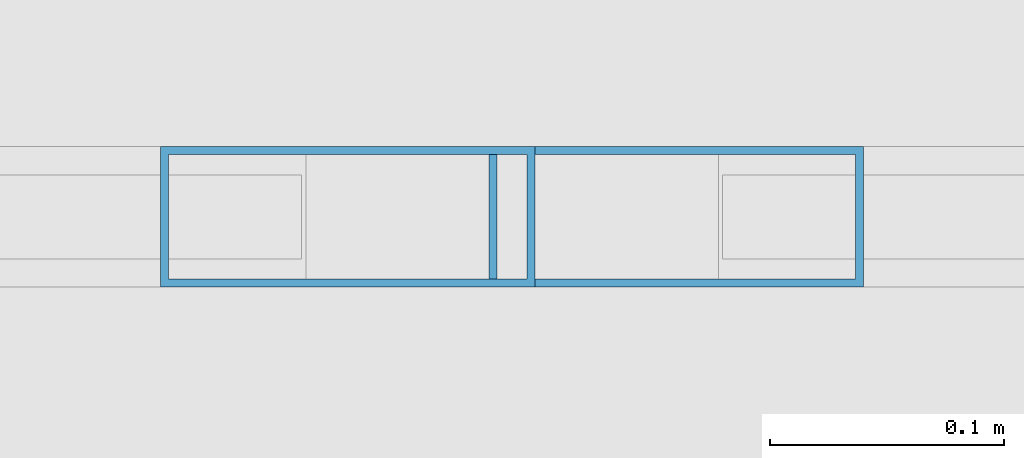
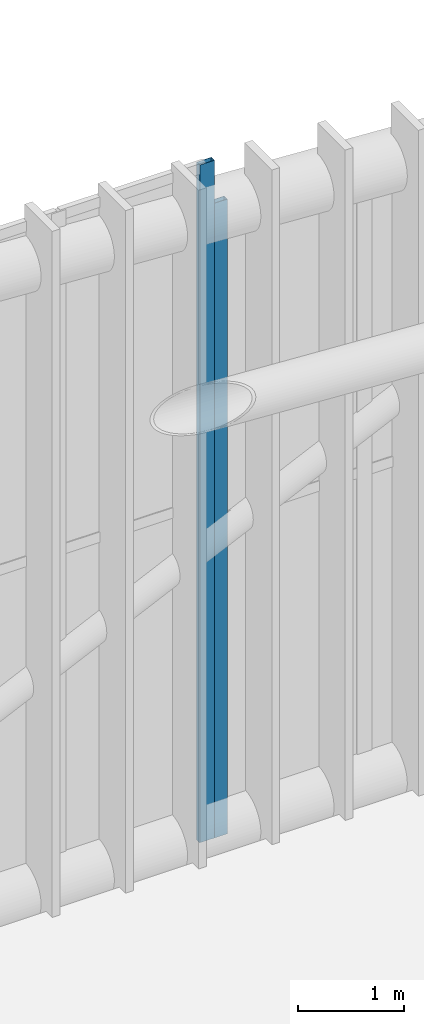
# One storey, part 81 of 397: 2 members, 2 elements without a shape of their own.
"""IFC4 building model written with IfcOpenShell, lengths in metres."""

from ifc_helpers import new_model, si_unit, direction, frame, origin, origin_2d, place, context, subcontext, project, spatial, hollow_rectangle, extrude, material, material_profile, profile_set, type_object, element, aggregate, save


model = new_model("IFC4")

# Units and contexts
model_context = context("Model", 3, precision=1e-05, world=origin(), true_north=direction((0.0, 1.0)))
body_context = subcontext(model_context, "Body", "Model", "MODEL_VIEW")
ifc_project = project(units=[si_unit("LENGTHUNIT", "METRE"), si_unit("AREAUNIT", "SQUARE_METRE"), si_unit("VOLUMEUNIT", "CUBIC_METRE"), si_unit("PLANEANGLEUNIT", "RADIAN"), si_unit("MASSUNIT", "GRAM", prefix="KILO")], contexts=[model_context])

# Site, building, storey
site_placement = place(None, origin())
site = spatial("IfcSite", under=ifc_project, at=site_placement, CompositionType="ELEMENT")
building_placement = place(site_placement, origin())
building = spatial("IfcBuilding", under=site, at=building_placement, Name="Qandorah Velis Arena", CompositionType="ELEMENT")
storey_placement = place(building_placement, frame((0.0, 0.0, 27.5)))
storey = spatial("IfcBuildingStorey", under=building, at=storey_placement, Name="RF", CompositionType="ELEMENT", Elevation=27.5)

# Curtain wall, member
ifc_material_1 = material(Name="Solar-control low-E double glazing", Category="glass")
curtain_wall_type_1 = type_object("IfcCurtainWallType", Name="ARC-CW-SYS21", PredefinedType="USERDEFINED", material=ifc_material_1)
curtain_wall_1_placement = place(storey_placement, origin())
curtain_wall_1 = element("IfcCurtainWall", 1, at=curtain_wall_1_placement, inside=storey, type_object=curtain_wall_type_1, Name="Unitised curtain wall CROWN-3-05S1", ObjectType="UNITISED CURTAIN WALL", PredefinedType="USERDEFINED")
ifc_material_2 = material(Name="Champagne-bronze anodized aluminium 6063-T6", Category="aluminium")
ifc_material_profile = material_profile(ifc_material_2, hollow_rectangle(XDim=0.06005859375, YDim=0.159912109375, WallThickness=0.00341796875, at=origin_2d()), Name="ALU MULLION 60x160")
ifc_profile_set = profile_set([ifc_material_profile], Name="Champagne-bronze anodized aluminium 6063-T6")
member_type = type_object("IfcMemberType", Name="ARC-CWM-160", PredefinedType="MULLION", material=ifc_profile_set)
member_1_placement = place(storey_placement, frame((79.1298828125, 14.39990234375, -0.014892578125), z_axis=(0.0, 0.0, 1.0), x_axis=(0.0, 1.0, 0.0)))
member_1 = element("IfcMember", 2, at=member_1_placement, type_object=member_type, Name="CW21 mullion 5", PredefinedType="MULLION", context=body_context, shape_type="SweptSolid", body=[
    extrude(hollow_rectangle(XDim=0.06005859375, YDim=0.159912109375, WallThickness=0.00341796875, at=origin_2d()), origin(), (0.0, 0.0, 1.0), 7.826416015625),
])
aggregate(curtain_wall_1, [member_1])

curtain_wall_type_2 = type_object("IfcCurtainWallType", Name="ARC-CW-SYS22", PredefinedType="USERDEFINED", material=ifc_material_1)
curtain_wall_2_placement = place(storey_placement, origin())
curtain_wall_2 = element("IfcCurtainWall", 3, at=curtain_wall_2_placement, inside=storey, type_object=curtain_wall_type_2, Name="Unitised curtain wall CROWN-3-05S2", ObjectType="UNITISED CURTAIN WALL", PredefinedType="USERDEFINED")
member_2_placement = place(storey_placement, frame((79.27001953125, 14.39990234375, -0.014892578125), z_axis=(0.0, 0.0, 1.0), x_axis=(0.0, 1.0, 0.0)))
member_2 = element("IfcMember", 4, at=member_2_placement, type_object=member_type, Name="CW22 mullion 1", PredefinedType="MULLION", context=body_context, shape_type="SweptSolid", body=[
    extrude(hollow_rectangle(XDim=0.06005859375, YDim=0.159912109375, WallThickness=0.00341796875, at=origin_2d()), origin(), (0.0, 0.0, 1.0), 7.32958984375),
])
aggregate(curtain_wall_2, [member_2])

save(model, "model.ifc")
